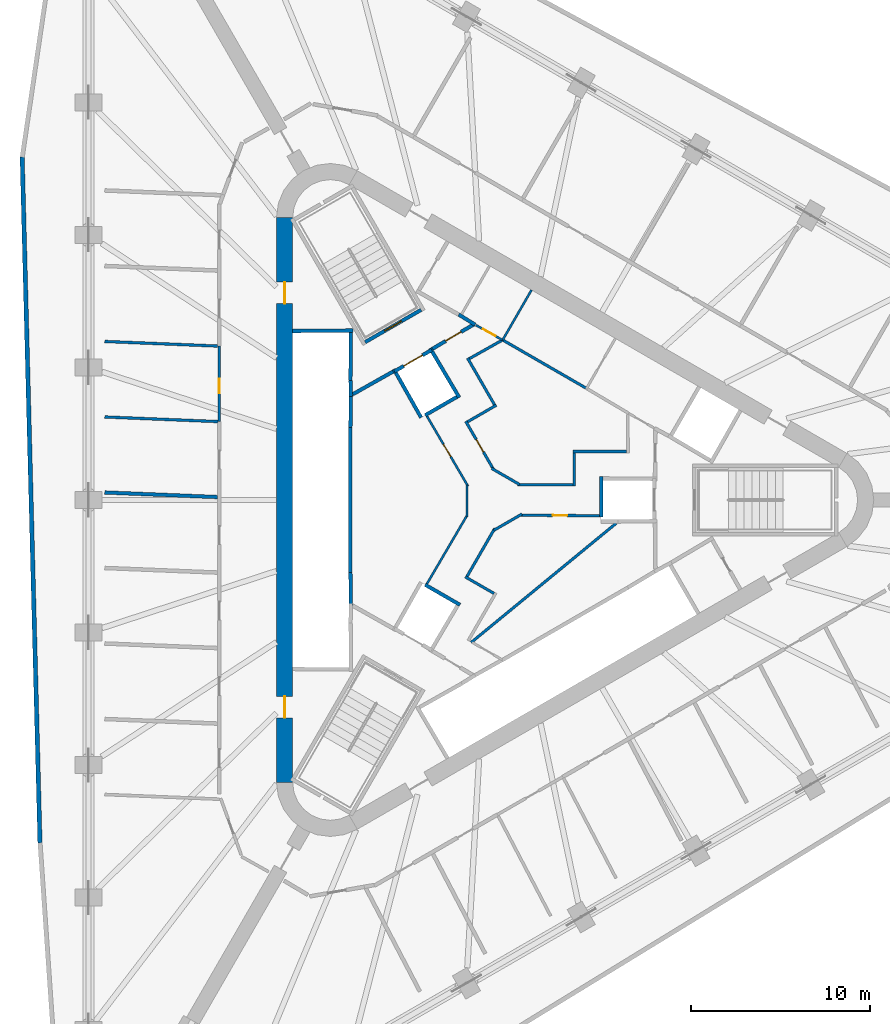
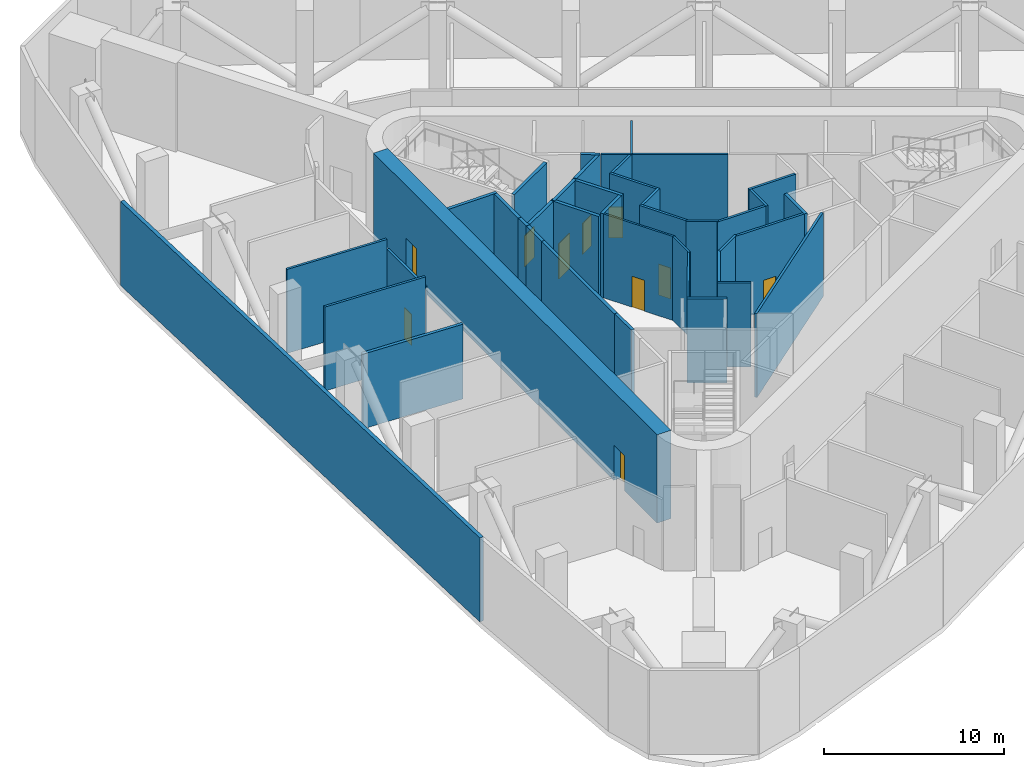
# One storey, part 5 of 13: 41 walls, 10 doors, 10 openings.
"""IFC4 building model written with IfcOpenShell, lengths in metres."""

from ifc_helpers import new_model, si_unit, direction, frame, frame_2d, origin, place, context, subcontext, project, spatial, rectangle, extrude, material, layer, layer_set, type_object, element, fill, save


model = new_model("IFC4")

# Units and contexts
model_context = context("Model", 3, precision=1e-05, world=origin(), true_north=direction((0.0, 1.0)))
body_context = subcontext(model_context, "Body", "Model", "MODEL_VIEW")
ifc_project = project(units=[si_unit("LENGTHUNIT", "METRE"), si_unit("AREAUNIT", "SQUARE_METRE"), si_unit("VOLUMEUNIT", "CUBIC_METRE"), si_unit("PLANEANGLEUNIT", "RADIAN"), si_unit("MASSUNIT", "GRAM", prefix="KILO")], contexts=[model_context])

# Site, building, storey
site_placement = place(None, origin())
site = spatial("IfcSite", under=ifc_project, at=site_placement, CompositionType="ELEMENT")
building_placement = place(site_placement, origin())
building = spatial("IfcBuilding", under=site, at=building_placement, Name="Tanit Gate Tower", CompositionType="ELEMENT")
storey_placement = place(building_placement, frame((0.0, 0.0, 163.199951171875)))
storey = spatial("IfcBuildingStorey", under=building, at=storey_placement, Name="L35", CompositionType="ELEMENT", Elevation=163.199951171875)

# Wall, openings, doors
ifc_material_1 = material(Name="Concrete C60/75", Category="concrete")
ifc_layer_1 = layer(ifc_material_1, 0.89990234375)
ifc_layer_set_1 = layer_set([ifc_layer_1], Name="CORE WALL 900 C60/75")
wall_type_1 = type_object("IfcWallType", Name="CORE WALL 900 C60/75", PredefinedType="SHEAR", material=ifc_layer_set_1)
wall_1_placement = place(storey_placement, frame((-11.64990234375, 15.76171875, 0.0), z_axis=(0.0, 0.0, 1.0), x_axis=(0.0, -1.0, 0.0)))
wall_1 = element("IfcWall", 1, at=wall_1_placement, inside=storey, type_object=wall_type_1, Name="CORE WALL", PredefinedType="SHEAR", context=body_context, shape_type="SweptSolid", body=[
    extrude(rectangle(XDim=31.5234375, YDim=0.89990234375, at=frame_2d((15.76171875, 0.0))), origin(), (0.0, 0.0, 1.0), 6.0),
])
opening_1_placement = place(wall_1_placement, frame((3.61181640625, 0.0, 0.0)))
opening_1 = element("IfcOpeningElement", 2, at=opening_1_placement, cuts=wall_1, Name="Opening F12-35-FL2", PredefinedType="OPENING", context=body_context, shape_type="SweptSolid", body=[
    extrude(rectangle(XDim=1.199951171875, YDim=2.39990234375, at=frame_2d((0.60009765625, 1.199951171875))), frame((0.0, 0.4599609375, 0.0), z_axis=(0.0, -1.0, 0.0), x_axis=(1.0, 0.0, 0.0)), (0.0, 0.0, 1.0), 0.919921875),
])
opening_2_placement = place(wall_1_placement, frame((26.711669921875, 0.0, 0.0)))
opening_2 = element("IfcOpeningElement", 3, at=opening_2_placement, cuts=wall_1, Name="Opening F12-35-S3", PredefinedType="OPENING", context=body_context, shape_type="SweptSolid", body=[
    extrude(rectangle(XDim=1.199951171875, YDim=2.39990234375, at=frame_2d((0.60009765625, 1.199951171875))), frame((0.0, 0.4599609375, 0.0), z_axis=(0.0, -1.0, 0.0), x_axis=(1.0, 0.0, 0.0)), (0.0, 0.0, 1.0), 0.919921875),
])
ifc_material_2 = material(Name="Fire-rated steel door leaf", Category="steel")
door_type_1 = type_object("IfcDoorType", Name="INT-DOOR-FIRE-LOBBY-1200", OperationType="NOTDEFINED", PredefinedType="USERDEFINED", material=ifc_material_2)
door_1_placement = place(opening_1_placement, origin())
door_1 = element("IfcDoor", 4, at=door_1_placement, inside=storey, type_object=door_type_1, Name="Door F12-35-FL2", ObjectType="FIRE DOOR", OperationType="SINGLE_SWING_RIGHT", OverallHeight=2.39990234375, OverallWidth=1.199951171875, PredefinedType="USERDEFINED", context=body_context, shape_type="SweptSolid", body=[
    extrude(rectangle(XDim=1.199951171875, YDim=2.39990234375, at=frame_2d((0.60009765625, 1.199951171875))), frame((0.0, 0.02490234375, 0.0), z_axis=(0.0, -1.0, 0.0), x_axis=(1.0, 0.0, 0.0)), (0.0, 0.0, 1.0), 0.050048828125),
])
fill(opening_1, door_1)
door_2_placement = place(opening_2_placement, origin())
door_2 = element("IfcDoor", 5, at=door_2_placement, inside=storey, type_object=door_type_1, Name="Door F12-35-S3", ObjectType="FIRE DOOR", OperationType="SINGLE_SWING_LEFT", OverallHeight=2.39990234375, OverallWidth=1.199951171875, PredefinedType="USERDEFINED", context=body_context, shape_type="SweptSolid", body=[
    extrude(rectangle(XDim=1.199951171875, YDim=2.39990234375, at=frame_2d((0.60009765625, 1.199951171875))), frame((0.0, 0.02490234375, 0.0), z_axis=(0.0, -1.0, 0.0), x_axis=(1.0, 0.0, 0.0)), (0.0, 0.0, 1.0), 0.050048828125),
])
fill(opening_2, door_2)

# Walls
ifc_material_3 = material(Name="Concrete C30/37 with bronze anodised aluminium cladding", Category="concrete")
ifc_layer_2 = layer(ifc_material_3, 0.239990234375)
ifc_layer_set_2 = layer_set([ifc_layer_2], Name="Facade wall bronze clad 240")
wall_type_2 = type_object("IfcWallType", Name="Facade wall bronze clad 240", PredefinedType="SOLIDWALL", material=ifc_layer_set_2)
wall_2_placement = place(storey_placement, frame((-26.282958984375, 19.1123046875, 0.0), z_axis=(0.0, 0.0, 1.0), x_axis=(0.025921518022, -0.999663980997, 0.0)))
element("IfcWall", 6, at=wall_2_placement, inside=storey, type_object=wall_type_2, Name="Bronze-clad facade wall L35 W2", PredefinedType="SOLIDWALL", context=body_context, shape_type="SweptSolid", body=[
    extrude(rectangle(XDim=38.239013671875, YDim=0.239990234375, at=frame_2d((19.11962890625, 0.0))), origin(), (0.0, 0.0, 1.0), 5.699951171875),
])
ifc_material_4 = material(Name="Fire-rated gypsum board partition")
ifc_layer_3 = layer(ifc_material_4, 0.199951171875)
ifc_layer_set_3 = layer_set([ifc_layer_3], Name="INT-WALL-COMPARTMENT")
wall_type_3 = type_object("IfcWallType", Name="INT-WALL-COMPARTMENT", PredefinedType="PARTITIONING", material=ifc_layer_set_3)
wall_3_placement = place(storey_placement, frame((-1.940673828125, 10.338623046875, 0.0), z_axis=(0.0, 0.0, 1.0), x_axis=(0.850216889117, -0.526432561171, 0.0)))
element("IfcWall", 7, at=wall_3_placement, inside=storey, type_object=wall_type_3, Name="Wall Compartment W060", PredefinedType="PARTITIONING", context=body_context, shape_type="SweptSolid", body=[
    extrude(rectangle(XDim=1.078369140625, YDim=0.199951171875, at=frame_2d((0.5390625, 0.0))), origin(), (0.0, 0.0, 1.0), 5.699951171875),
])
wall_4_placement = place(storey_placement, frame((-5.600341796875, 7.16015625, 0.0), z_axis=(0.0, 0.0, 1.0), x_axis=(-0.871340486379, -0.490678873396, 0.0)))
element("IfcWall", 8, at=wall_4_placement, inside=storey, type_object=wall_type_3, Name="Wall Compartment W068", PredefinedType="PARTITIONING", context=body_context, shape_type="SweptSolid", body=[
    extrude(rectangle(XDim=2.580810546875, YDim=0.199951171875, at=frame_2d((1.29052734375, 0.0))), origin(), (0.0, 0.0, 1.0), 5.699951171875),
])

# Wall, opening, door
wall_5_placement = place(storey_placement, frame((-1.070068359375, 9.809326171875, 0.0), z_axis=(0.0, 0.0, 1.0), x_axis=(-0.860603293832, -0.509275927808, 0.0)))
wall_5 = element("IfcWall", 9, at=wall_5_placement, inside=storey, type_object=wall_type_3, Name="Wall Compartment W069", PredefinedType="PARTITIONING", context=body_context, shape_type="SweptSolid", body=[
    extrude(rectangle(XDim=2.7080078125, YDim=0.199951171875, at=frame_2d((1.35400390625, 0.0))), origin(), (0.0, 0.0, 1.0), 5.699951171875),
])
opening_3_placement = place(wall_5_placement, frame((0.859619140625, 0.0, 0.0)))
opening_3 = element("IfcOpeningElement", 10, at=opening_3_placement, cuts=wall_5, Name="Opening F10-35-05", PredefinedType="OPENING", context=body_context, shape_type="SweptSolid", body=[
    extrude(rectangle(XDim=1.0, YDim=2.10009765625, at=frame_2d((0.5, 1.050048828125))), frame((0.0, 0.10986328125, 0.0), z_axis=(0.0, -1.0, 0.0), x_axis=(1.0, 0.0, 0.0)), (0.0, 0.0, 1.0), 0.219970703125),
])
ifc_material_5 = material(Name="Fire-rated steel door leaf", Category="steel")
door_type_2 = type_object("IfcDoorType", Name="INT-DOOR-FIRE-1000", OperationType="NOTDEFINED", PredefinedType="USERDEFINED", material=ifc_material_5)
door_3_placement = place(opening_3_placement, origin())
door_3 = element("IfcDoor", 11, at=door_3_placement, inside=storey, type_object=door_type_2, Name="Door F10-35-05", ObjectType="FIRE DOOR", OperationType="SINGLE_SWING_RIGHT", OverallHeight=2.10009765625, OverallWidth=1.0, PredefinedType="USERDEFINED", context=body_context, shape_type="SweptSolid", body=[
    extrude(rectangle(XDim=1.0, YDim=2.10009765625, at=frame_2d((0.5, 1.050048828125))), frame((0.0, 0.02490234375, 0.0), z_axis=(0.0, -1.0, 0.0), x_axis=(1.0, 0.0, 0.0)), (0.0, 0.0, 1.0), 0.050048828125),
])
fill(opening_3, door_3)

# Walls
wall_6_placement = place(storey_placement, frame((-21.677490234375, 0.41845703125, 0.0), z_axis=(0.0, 0.0, 1.0), x_axis=(0.999168860774, -0.04076257671, 0.0)))
element("IfcWall", 12, at=wall_6_placement, inside=storey, type_object=wall_type_3, Name="Wall Compartment W108", PredefinedType="PARTITIONING", context=body_context, shape_type="SweptSolid", body=[
    extrude(rectangle(XDim=6.28271484375, YDim=0.199951171875, at=frame_2d((3.141357421875, 0.0))), origin(), (0.0, 0.0, 1.0), 5.070068359375),
])
ifc_material_6 = material(Name="Gypsum board partition")
ifc_layer_4 = layer(ifc_material_6, 0.1201171875)
ifc_layer_set_4 = layer_set([ifc_layer_4], Name="INT-WALL-PARTITION")
wall_type_4 = type_object("IfcWallType", Name="INT-WALL-PARTITION", PredefinedType="PARTITIONING", material=ifc_layer_set_4)
wall_7_placement = place(storey_placement, frame((2.11865234375, 11.70947265625, 0.0), z_axis=(0.0, 0.0, 1.0), x_axis=(-0.500017246033, -0.866015446554, 0.0)))
element("IfcWall", 13, at=wall_7_placement, inside=storey, type_object=wall_type_4, Name="Wall Partition W057", PredefinedType="PARTITIONING", context=body_context, shape_type="SweptSolid", body=[
    extrude(rectangle(XDim=3.25, YDim=0.1201171875, at=frame_2d((1.625, 0.0))), origin(), (0.0, 0.0, 1.0), 5.699951171875),
])

# Wall, opening, door
wall_8_placement = place(storey_placement, frame((-0.979248046875, 9.746826171875, 0.0), z_axis=(0.0, 0.0, 1.0), x_axis=(0.871957532922, -0.489581515972, 0.0)))
wall_8 = element("IfcWall", 14, at=wall_8_placement, inside=storey, type_object=wall_type_4, Name="Wall Partition W061", PredefinedType="PARTITIONING", context=body_context, shape_type="SweptSolid", body=[
    extrude(rectangle(XDim=1.671630859375, YDim=0.1201171875, at=frame_2d((0.8359375, 0.0))), origin(), (0.0, 0.0, 1.0), 5.699951171875),
])
opening_4_placement = place(wall_8_placement, frame((0.435791015625, 0.0, 0.0)))
opening_4 = element("IfcOpeningElement", 15, at=opening_4_placement, cuts=wall_8, Name="Opening R08-35-16", PredefinedType="OPENING", context=body_context, shape_type="SweptSolid", body=[
    extrude(rectangle(XDim=0.800048828125, YDim=2.10009765625, at=frame_2d((0.39990234375, 1.050048828125))), frame((0.0, 0.070068359375, 0.0), z_axis=(0.0, -1.0, 0.0), x_axis=(1.0, 0.0, 0.0)), (0.0, 0.0, 1.0), 0.14013671875),
])
ifc_material_7 = material(Name="Timber door leaf", Category="wood")
door_type_3 = type_object("IfcDoorType", Name="INT-DOOR-RISER-800", OperationType="NOTDEFINED", PredefinedType="USERDEFINED", material=ifc_material_7)
door_4_placement = place(opening_4_placement, origin())
door_4 = element("IfcDoor", 16, at=door_4_placement, inside=storey, type_object=door_type_3, Name="Door R08-35-16", ObjectType="FIRE DOOR", OperationType="SINGLE_SWING_LEFT", OverallHeight=2.10009765625, OverallWidth=0.800048828125, PredefinedType="USERDEFINED", context=body_context, shape_type="SweptSolid", body=[
    extrude(rectangle(XDim=0.800048828125, YDim=2.10009765625, at=frame_2d((0.39990234375, 1.050048828125))), frame((0.0, 0.02490234375, 0.0), z_axis=(0.0, -1.0, 0.0), x_axis=(1.0, 0.0, 0.0)), (0.0, 0.0, 1.0), 0.050048828125),
])
fill(opening_4, door_4)

wall_9_placement = place(storey_placement, frame((-1.42041015625, 0.76171875, 0.0), z_axis=(0.0, 0.0, 1.0), x_axis=(-0.505655878767, 0.862735261983, 0.0)))
wall_9 = element("IfcWall", 17, at=wall_9_placement, inside=storey, type_object=wall_type_4, Name="Wall Partition W072", PredefinedType="PARTITIONING", context=body_context, shape_type="SweptSolid", body=[
    extrude(rectangle(XDim=4.5302734375, YDim=0.1201171875, at=frame_2d((2.26513671875, 0.0))), origin(), (0.0, 0.0, 1.0), 5.699951171875),
])
opening_5_placement = place(wall_9_placement, frame((1.916259765625, 0.0, 0.0)))
opening_5 = element("IfcOpeningElement", 18, at=opening_5_placement, cuts=wall_9, Name="Opening R08-35-10", PredefinedType="OPENING", context=body_context, shape_type="SweptSolid", body=[
    extrude(rectangle(XDim=0.800048828125, YDim=2.10009765625, at=frame_2d((0.39990234375, 1.050048828125))), frame((0.0, 0.070068359375, 0.0), z_axis=(0.0, -1.0, 0.0), x_axis=(1.0, 0.0, 0.0)), (0.0, 0.0, 1.0), 0.14013671875),
])
door_5_placement = place(opening_5_placement, origin())
door_5 = element("IfcDoor", 19, at=door_5_placement, inside=storey, type_object=door_type_3, Name="Door R08-35-10", ObjectType="FIRE DOOR", OperationType="SINGLE_SWING_RIGHT", OverallHeight=2.10009765625, OverallWidth=0.800048828125, PredefinedType="USERDEFINED", context=body_context, shape_type="SweptSolid", body=[
    extrude(rectangle(XDim=0.800048828125, YDim=2.10009765625, at=frame_2d((0.39990234375, 1.050048828125))), frame((0.0, 0.02490234375, 0.0), z_axis=(0.0, -1.0, 0.0), x_axis=(1.0, 0.0, 0.0)), (0.0, 0.0, 1.0), 0.050048828125),
])
fill(opening_5, door_5)

# Walls
wall_10_placement = place(storey_placement, frame((-1.47216796875, -0.952392578125, 0.0), z_axis=(0.0, 0.0, 1.0), x_axis=(0.0, 1.0, 0.0)))
element("IfcWall", 20, at=wall_10_placement, inside=storey, type_object=wall_type_4, Name="Wall Partition W073", PredefinedType="PARTITIONING", context=body_context, shape_type="SweptSolid", body=[
    extrude(rectangle(XDim=1.783447265625, YDim=0.1201171875, at=frame_2d((0.8916015625, 0.0))), origin(), (0.0, 0.0, 1.0), 5.699951171875),
])
wall_11_placement = place(storey_placement, frame((-3.711181640625, -4.670166015625, 0.0), z_axis=(0.0, 0.0, 1.0), x_axis=(0.505649867547, 0.862738785178, 0.0)))
element("IfcWall", 21, at=wall_11_placement, inside=storey, type_object=wall_type_4, Name="Wall Partition W074", PredefinedType="PARTITIONING", context=body_context, shape_type="SweptSolid", body=[
    extrude(rectangle(XDim=4.4091796875, YDim=0.1201171875, at=frame_2d((2.20458984375, 0.0))), origin(), (0.0, 0.0, 1.0), 5.699951171875),
])
ifc_material_8 = material(Name="Fire-rated gypsum board partition")
ifc_layer_5 = layer(ifc_material_8, 0.14990234375)
ifc_layer_set_5 = layer_set([ifc_layer_5], Name="INT-WALL-RISER")
wall_type_5 = type_object("IfcWallType", Name="INT-WALL-RISER", PredefinedType="PLUMBINGWALL", material=ifc_layer_set_5)
wall_12_placement = place(storey_placement, frame((5.1591796875, 6.23583984375, 0.0), z_axis=(0.0, 0.0, 1.0), x_axis=(-0.866028230842, 0.499995103361, 0.0)))
element("IfcWall", 22, at=wall_12_placement, inside=storey, type_object=wall_type_5, Name="Wall Riser W058", PredefinedType="PLUMBINGWALL", context=body_context, shape_type="SweptSolid", body=[
    extrude(rectangle(XDim=5.39990234375, YDim=0.14990234375, at=frame_2d((2.699951171875, 0.0))), origin(), (0.0, 0.0, 1.0), 5.699951171875),
])
wall_13_placement = place(storey_placement, frame((6.833740234375, -1.3017578125, 0.0), z_axis=(0.0, 0.0, 1.0), x_axis=(-0.772564687607, -0.634936062499, 0.0)))
element("IfcWall", 23, at=wall_13_placement, inside=storey, type_object=wall_type_5, Name="Wall Riser W075", PredefinedType="PLUMBINGWALL", context=body_context, shape_type="SweptSolid", body=[
    extrude(rectangle(XDim=10.457275390625, YDim=0.14990234375, at=frame_2d((5.228515625, 0.0))), origin(), (0.0, 0.0, 1.0), 5.699951171875),
])
wall_14_placement = place(storey_placement, frame((-1.578857421875, -4.28466796875, 0.0), z_axis=(0.0, 0.0, 1.0), x_axis=(0.866033964044, -0.499985172903, 0.0)))
element("IfcWall", 24, at=wall_14_placement, inside=storey, type_object=wall_type_5, Name="Wall Riser W077", PredefinedType="PLUMBINGWALL", context=body_context, shape_type="SweptSolid", body=[
    extrude(rectangle(XDim=1.85009765625, YDim=0.14990234375, at=frame_2d((0.925048828125, 0.0))), origin(), (0.0, 0.0, 1.0), 5.699951171875),
])
wall_15_placement = place(storey_placement, frame((0.06494140625, -1.58740234375, 0.0), z_axis=(0.0, 0.0, 1.0), x_axis=(-0.499980683721, -0.866036555756, 0.0)))
element("IfcWall", 25, at=wall_15_placement, inside=storey, type_object=wall_type_5, Name="Wall Riser W078", PredefinedType="PLUMBINGWALL", context=body_context, shape_type="SweptSolid", body=[
    extrude(rectangle(XDim=3.08251953125, YDim=0.14990234375, at=frame_2d((1.541259765625, 0.0))), origin(), (0.0, 0.0, 1.0), 5.699951171875),
])
wall_16_placement = place(storey_placement, frame((1.5830078125, -0.7861328125, 0.0), z_axis=(0.0, 0.0, 1.0), x_axis=(-0.866036909293, -0.499980071345, 0.0)))
element("IfcWall", 26, at=wall_16_placement, inside=storey, type_object=wall_type_5, Name="Wall Riser W079", PredefinedType="PLUMBINGWALL", context=body_context, shape_type="SweptSolid", body=[
    extrude(rectangle(XDim=1.8046875, YDim=0.14990234375, at=frame_2d((0.90234375, 0.0))), origin(), (0.0, 0.0, 1.0), 5.699951171875),
])

# Wall, opening, door
wall_17_placement = place(storey_placement, frame((5.89990234375, -0.87890625, 0.0), z_axis=(0.0, 0.0, 1.0), x_axis=(-0.999978605844, 0.006541242613, 0.0)))
wall_17 = element("IfcWall", 27, at=wall_17_placement, inside=storey, type_object=wall_type_5, Name="Wall Riser W080", PredefinedType="PLUMBINGWALL", context=body_context, shape_type="SweptSolid", body=[
    extrude(rectangle(XDim=4.404052734375, YDim=0.14990234375, at=frame_2d((2.2021484375, 0.0))), origin(), (0.0, 0.0, 1.0), 5.699951171875),
])
opening_6_placement = place(wall_17_placement, frame((1.802001953125, 0.0, 0.0)))
opening_6 = element("IfcOpeningElement", 28, at=opening_6_placement, cuts=wall_17, Name="Opening R08-35-11", PredefinedType="OPENING", context=body_context, shape_type="SweptSolid", body=[
    extrude(rectangle(XDim=0.800048828125, YDim=2.10009765625, at=frame_2d((0.39990234375, 1.050048828125))), frame((0.0, 0.0849609375, 0.0), z_axis=(0.0, -1.0, 0.0), x_axis=(1.0, 0.0, 0.0)), (0.0, 0.0, 1.0), 0.169921875),
])
door_6_placement = place(opening_6_placement, origin())
door_6 = element("IfcDoor", 29, at=door_6_placement, inside=storey, type_object=door_type_3, Name="Door R08-35-11", ObjectType="FIRE DOOR", OperationType="SINGLE_SWING_RIGHT", OverallHeight=2.10009765625, OverallWidth=0.800048828125, PredefinedType="USERDEFINED", context=body_context, shape_type="SweptSolid", body=[
    extrude(rectangle(XDim=0.800048828125, YDim=2.10009765625, at=frame_2d((0.39990234375, 1.050048828125))), frame((0.0, 0.02490234375, 0.0), z_axis=(0.0, -1.0, 0.0), x_axis=(1.0, 0.0, 0.0)), (0.0, 0.0, 1.0), 0.050048828125),
])
fill(opening_6, door_6)

# Walls
wall_18_placement = place(storey_placement, frame((4.425048828125, 2.699951171875, 0.0), z_axis=(0.0, 0.0, 1.0), x_axis=(1.0, 0.0, 0.0)))
element("IfcWall", 30, at=wall_18_placement, inside=storey, type_object=wall_type_5, Name="Wall Riser W083", PredefinedType="PLUMBINGWALL", context=body_context, shape_type="SweptSolid", body=[
    extrude(rectangle(XDim=3.0, YDim=0.14990234375, at=frame_2d((1.5, 0.0))), origin(), (0.0, 0.0, 1.0), 5.699951171875),
])
wall_19_placement = place(storey_placement, frame((4.5, 0.77490234375, 0.0), z_axis=(0.0, 0.0, 1.0), x_axis=(0.0, 1.0, 0.0)))
element("IfcWall", 31, at=wall_19_placement, inside=storey, type_object=wall_type_5, Name="Wall Riser W084", PredefinedType="PLUMBINGWALL", context=body_context, shape_type="SweptSolid", body=[
    extrude(rectangle(XDim=1.85009765625, YDim=0.14990234375, at=frame_2d((0.925048828125, 0.0))), origin(), (0.0, 0.0, 1.0), 5.699951171875),
])
wall_20_placement = place(storey_placement, frame((1.34228515625, 0.85009765625, 0.0), z_axis=(0.0, 0.0, 1.0), x_axis=(1.0, 0.0, 0.0)))
element("IfcWall", 32, at=wall_20_placement, inside=storey, type_object=wall_type_5, Name="Wall Riser W085", PredefinedType="PLUMBINGWALL", context=body_context, shape_type="SweptSolid", body=[
    extrude(rectangle(XDim=3.082763671875, YDim=0.14990234375, at=frame_2d((1.54150390625, 0.0))), origin(), (0.0, 0.0, 1.0), 5.699951171875),
])
wall_21_placement = place(storey_placement, frame((-0.112548828125, 1.764892578125, 0.0), z_axis=(0.0, 0.0, 1.0), x_axis=(0.866039322102, -0.499975891992, 0.0)))
element("IfcWall", 33, at=wall_21_placement, inside=storey, type_object=wall_type_5, Name="Wall Riser W086", PredefinedType="PLUMBINGWALL", context=body_context, shape_type="SweptSolid", body=[
    extrude(rectangle(XDim=1.806640625, YDim=0.14990234375, at=frame_2d((0.9033203125, 0.0))), origin(), (0.0, 0.0, 1.0), 5.699951171875),
])

# Wall, opening, door
wall_22_placement = place(storey_placement, frame((-1.55126953125, 4.386962890625, 0.0), z_axis=(0.0, 0.0, 1.0), x_axis=(0.499976393034, -0.866039032844, 0.0)))
wall_22 = element("IfcWall", 34, at=wall_22_placement, inside=storey, type_object=wall_type_5, Name="Wall Riser W087", PredefinedType="PLUMBINGWALL", context=body_context, shape_type="SweptSolid", body=[
    extrude(rectangle(XDim=3.079345703125, YDim=0.14990234375, at=frame_2d((1.53955078125, 0.0))), origin(), (0.0, 0.0, 1.0), 5.699951171875),
])
opening_7_placement = place(wall_22_placement, frame((1.17724609375, 0.0, 0.0)))
opening_7 = element("IfcOpeningElement", 35, at=opening_7_placement, cuts=wall_22, Name="Opening R08-35-13", PredefinedType="OPENING", context=body_context, shape_type="SweptSolid", body=[
    extrude(rectangle(XDim=0.800048828125, YDim=2.10009765625, at=frame_2d((0.39990234375, 1.050048828125))), frame((0.0, 0.0849609375, 0.0), z_axis=(0.0, -1.0, 0.0), x_axis=(1.0, 0.0, 0.0)), (0.0, 0.0, 1.0), 0.169921875),
])
door_7_placement = place(opening_7_placement, origin())
door_7 = element("IfcDoor", 36, at=door_7_placement, inside=storey, type_object=door_type_3, Name="Door R08-35-13", ObjectType="FIRE DOOR", OperationType="SINGLE_SWING_LEFT", OverallHeight=2.10009765625, OverallWidth=0.800048828125, PredefinedType="USERDEFINED", context=body_context, shape_type="SweptSolid", body=[
    extrude(rectangle(XDim=0.800048828125, YDim=2.10009765625, at=frame_2d((0.39990234375, 1.050048828125))), frame((0.0, 0.02490234375, 0.0), z_axis=(0.0, -1.0, 0.0), x_axis=(1.0, 0.0, 0.0)), (0.0, 0.0, 1.0), 0.050048828125),
])
fill(opening_7, door_7)

# Walls
wall_23_placement = place(storey_placement, frame((0.1533203125, 5.28466796875, 0.0), z_axis=(0.0, 0.0, 1.0), x_axis=(-0.866033964044, -0.499985172903, 0.0)))
element("IfcWall", 37, at=wall_23_placement, inside=storey, type_object=wall_type_5, Name="Wall Riser W088", PredefinedType="PLUMBINGWALL", context=body_context, shape_type="SweptSolid", body=[
    extrude(rectangle(XDim=1.85009765625, YDim=0.14990234375, at=frame_2d((0.925048828125, 0.0))), origin(), (0.0, 0.0, 1.0), 5.699951171875),
])
wall_24_placement = place(storey_placement, frame((-1.44921875, 7.91015625, 0.0), z_axis=(0.0, 0.0, 1.0), x_axis=(0.499990139034, -0.866031096941, 0.0)))
element("IfcWall", 38, at=wall_24_placement, inside=storey, type_object=wall_type_5, Name="Wall Riser W089", PredefinedType="PLUMBINGWALL", context=body_context, shape_type="SweptSolid", body=[
    extrude(rectangle(XDim=3.0, YDim=0.14990234375, at=frame_2d((1.5, 0.0))), origin(), (0.0, 0.0, 1.0), 5.699951171875),
])
wall_25_placement = place(storey_placement, frame((0.475341796875, 8.9052734375, 0.0), z_axis=(0.0, 0.0, 1.0), x_axis=(-0.871843752163, -0.489784107353, 0.0)))
element("IfcWall", 39, at=wall_25_placement, inside=storey, type_object=wall_type_5, Name="Wall Riser W090", PredefinedType="PLUMBINGWALL", context=body_context, shape_type="SweptSolid", body=[
    extrude(rectangle(XDim=2.089599609375, YDim=0.14990234375, at=frame_2d((1.044921875, 0.0))), origin(), (0.0, 0.0, 1.0), 5.699951171875),
])

# Wall, opening, door
wall_26_placement = place(storey_placement, frame((-15.300048828125, 8.5859375, 0.0), z_axis=(0.0, 0.0, 1.0), x_axis=(0.0, -1.0, 0.0)))
wall_26 = element("IfcWall", 40, at=wall_26_placement, inside=storey, type_object=wall_type_5, Name="Wall Riser W096", PredefinedType="PLUMBINGWALL", context=body_context, shape_type="SweptSolid", body=[
    extrude(rectangle(XDim=4.2099609375, YDim=0.14990234375, at=frame_2d((2.10498046875, 0.0))), origin(), (0.0, 0.0, 1.0), 4.97998046875),
])
opening_8_placement = place(wall_26_placement, frame((1.836181640625, 0.0, 0.0)))
opening_8 = element("IfcOpeningElement", 41, at=opening_8_placement, cuts=wall_26, Name="Opening R08-35-22", PredefinedType="OPENING", context=body_context, shape_type="SweptSolid", body=[
    extrude(rectangle(XDim=0.800048828125, YDim=2.10009765625, at=frame_2d((0.39990234375, 1.050048828125))), frame((0.0, 0.0849609375, 0.0), z_axis=(0.0, -1.0, 0.0), x_axis=(1.0, 0.0, 0.0)), (0.0, 0.0, 1.0), 0.169921875),
])
door_8_placement = place(opening_8_placement, origin())
door_8 = element("IfcDoor", 42, at=door_8_placement, inside=storey, type_object=door_type_3, Name="Door R08-35-22", ObjectType="FIRE DOOR", OperationType="SINGLE_SWING_RIGHT", OverallHeight=2.10009765625, OverallWidth=0.800048828125, PredefinedType="USERDEFINED", context=body_context, shape_type="SweptSolid", body=[
    extrude(rectangle(XDim=0.800048828125, YDim=2.10009765625, at=frame_2d((0.39990234375, 1.050048828125))), frame((0.0, 0.02490234375, 0.0), z_axis=(0.0, -1.0, 0.0), x_axis=(1.0, 0.0, 0.0)), (0.0, 0.0, 1.0), 0.050048828125),
])
fill(opening_8, door_8)

# Walls
wall_27_placement = place(storey_placement, frame((-15.39990234375, 8.582275390625, 0.0), z_axis=(0.0, 0.0, 1.0), x_axis=(-0.999168860774, 0.04076257671, 0.0)))
element("IfcWall", 43, at=wall_27_placement, inside=storey, type_object=wall_type_5, Name="Wall Riser W106", PredefinedType="PLUMBINGWALL", context=body_context, shape_type="SweptSolid", body=[
    extrude(rectangle(XDim=6.28271484375, YDim=0.14990234375, at=frame_2d((3.141357421875, 0.0))), origin(), (0.0, 0.0, 1.0), 5.699951171875),
])
wall_28_placement = place(storey_placement, frame((-21.677490234375, 4.62841796875, 0.0), z_axis=(0.0, 0.0, 1.0), x_axis=(0.999169114936, -0.040756346234, 0.0)))
element("IfcWall", 44, at=wall_28_placement, inside=storey, type_object=wall_type_5, Name="Wall Riser W107", PredefinedType="PLUMBINGWALL", context=body_context, shape_type="SweptSolid", body=[
    extrude(rectangle(XDim=6.3076171875, YDim=0.14990234375, at=frame_2d((3.15380859375, 0.0))), origin(), (0.0, 0.0, 1.0), 5.699951171875),
])
ifc_material_9 = material(Name="Gypsum shaft wall system")
ifc_layer_6 = layer(ifc_material_9, 0.199951171875)
ifc_layer_set_6 = layer_set([ifc_layer_6], Name="INT-WALL-SHAFT")
wall_type_6 = type_object("IfcWallType", Name="INT-WALL-SHAFT", PredefinedType="PLUMBINGWALL", material=ifc_layer_set_6)
wall_29_placement = place(storey_placement, frame((-11.199951171875, 9.419921875, 0.0), z_axis=(0.0, 0.0, 1.0), x_axis=(0.999957167047, 0.009255488683, 0.0)))
element("IfcWall", 45, at=wall_29_placement, inside=storey, type_object=wall_type_6, Name="Wall Shaft W001", PredefinedType="PLUMBINGWALL", context=body_context, shape_type="SweptSolid", body=[
    extrude(rectangle(XDim=3.35009765625, YDim=0.199951171875, at=frame_2d((1.675048828125, 0.0))), origin(), (0.0, 0.0, 1.0), 5.699951171875),
])
wall_30_placement = place(storey_placement, frame((-7.951171875, 9.35009765625, 0.0), z_axis=(0.0, 0.0, 1.0), x_axis=(-0.011120469654, -0.999938165666, 0.0)))
element("IfcWall", 46, at=wall_30_placement, inside=storey, type_object=wall_type_6, Name="Wall Shaft W002", PredefinedType="PLUMBINGWALL", context=body_context, shape_type="SweptSolid", body=[
    extrude(rectangle(XDim=2.700439453125, YDim=0.199951171875, at=frame_2d((1.35009765625, 0.0))), origin(), (0.0, 0.0, 1.0), 5.699951171875),
])
wall_31_placement = place(storey_placement, frame((-7.97705078125, 6.650146484375, 0.0), z_axis=(0.0, 0.0, 1.0), x_axis=(0.030861509705, -0.999523670164, 0.0)))
element("IfcWall", 47, at=wall_31_placement, inside=storey, type_object=wall_type_6, Name="Wall Shaft W003", PredefinedType="PLUMBINGWALL", context=body_context, shape_type="SweptSolid", body=[
    extrude(rectangle(XDim=0.878173828125, YDim=0.199951171875, at=frame_2d((0.43896484375, 0.0))), origin(), (0.0, 0.0, 1.0), 5.699951171875),
])
wall_32_placement = place(storey_placement, frame((-7.948974609375, 5.894287109375, 0.0), z_axis=(0.0, 0.0, 1.0), x_axis=(-0.016809909365, -0.999858703491, 0.0)))
element("IfcWall", 48, at=wall_32_placement, inside=storey, type_object=wall_type_6, Name="Wall Shaft W004", PredefinedType="PLUMBINGWALL", context=body_context, shape_type="SweptSolid", body=[
    extrude(rectangle(XDim=1.844482421875, YDim=0.199951171875, at=frame_2d((0.92236328125, 0.0))), origin(), (0.0, 0.0, 1.0), 5.699951171875),
])
wall_33_placement = place(storey_placement, frame((-7.97998046875, 4.050048828125, 0.0), z_axis=(0.0, 0.0, 1.0), x_axis=(0.0, -1.0, 0.0)))
element("IfcWall", 49, at=wall_33_placement, inside=storey, type_object=wall_type_6, Name="Wall Shaft W005", PredefinedType="PLUMBINGWALL", context=body_context, shape_type="SweptSolid", body=[
    extrude(rectangle(XDim=8.10009765625, YDim=0.199951171875, at=frame_2d((4.050048828125, 0.0))), origin(), (0.0, 0.0, 1.0), 5.699951171875),
])
wall_34_placement = place(storey_placement, frame((-7.97998046875, -4.050048828125, 0.0), z_axis=(0.0, 0.0, 1.0), x_axis=(0.016809909365, -0.999858703491, 0.0)))
element("IfcWall", 50, at=wall_34_placement, inside=storey, type_object=wall_type_6, Name="Wall Shaft W009", PredefinedType="PLUMBINGWALL", context=body_context, shape_type="SweptSolid", body=[
    extrude(rectangle(XDim=1.844482421875, YDim=0.199951171875, at=frame_2d((0.92236328125, 0.0))), origin(), (0.0, 0.0, 1.0), 5.699951171875),
])
wall_35_placement = place(storey_placement, frame((6.0, -0.95458984375, 0.0), z_axis=(0.0, 0.0, 1.0), x_axis=(0.0, 1.0, 0.0)))
element("IfcWall", 51, at=wall_35_placement, inside=storey, type_object=wall_type_6, Name="Wall Shaft W033", PredefinedType="PLUMBINGWALL", context=body_context, shape_type="SweptSolid", body=[
    extrude(rectangle(XDim=2.254638671875, YDim=0.199951171875, at=frame_2d((1.12744140625, 0.0))), origin(), (0.0, 0.0, 1.0), 5.699951171875),
])

# Wall, opening, door
wall_36_placement = place(storey_placement, frame((-5.524169921875, 7.168212890625, 0.0), z_axis=(0.0, 0.0, 1.0), x_axis=(0.866024647952, 0.500001309137, 0.0)))
wall_36 = element("IfcWall", 52, at=wall_36_placement, inside=storey, type_object=wall_type_6, Name="Wall Shaft W040", PredefinedType="PLUMBINGWALL", context=body_context, shape_type="SweptSolid", body=[
    extrude(rectangle(XDim=2.39990234375, YDim=0.199951171875, at=frame_2d((1.199951171875, 0.0))), origin(), (0.0, 0.0, 1.0), 5.699951171875),
])
opening_9_placement = place(wall_36_placement, frame((0.60009765625, 0.0, 0.0)))
opening_9 = element("IfcOpeningElement", 53, at=opening_9_placement, cuts=wall_36, Name="Opening LDFL2-L35", PredefinedType="OPENING", context=body_context, shape_type="SweptSolid", body=[
    extrude(rectangle(XDim=1.199951171875, YDim=2.39990234375, at=frame_2d((0.60009765625, 1.199951171875))), frame((0.0, 0.10986328125, 0.0), z_axis=(0.0, -1.0, 0.0), x_axis=(1.0, 0.0, 0.0)), (0.0, 0.0, 1.0), 0.219970703125),
])
ifc_material_10 = material(Name="Stainless steel sliding door leaf", Category="steel")
door_type_4 = type_object("IfcDoorType", Name="INT-DOOR-LANDING-1200", OperationType="NOTDEFINED", PredefinedType="USERDEFINED", material=ifc_material_10)
door_9_placement = place(opening_9_placement, origin())
door_9 = element("IfcDoor", 54, at=door_9_placement, inside=storey, type_object=door_type_4, Name="Door LDFL2-L35", ObjectType="LANDING DOOR", OperationType="SLIDING_TO_LEFT", OverallHeight=2.39990234375, OverallWidth=1.199951171875, PredefinedType="USERDEFINED", context=body_context, shape_type="SweptSolid", body=[
    extrude(rectangle(XDim=1.199951171875, YDim=2.39990234375, at=frame_2d((0.60009765625, 1.199951171875))), frame((0.0, 0.02490234375, 0.0), z_axis=(0.0, -1.0, 0.0), x_axis=(1.0, 0.0, 0.0)), (0.0, 0.0, 1.0), 0.050048828125),
])
fill(opening_9, door_9)

# Walls
wall_37_placement = place(storey_placement, frame((-4.039306640625, 4.59619140625, 0.0), z_axis=(0.0, 0.0, 1.0), x_axis=(-0.491322718731, 0.870977603649, 0.0)))
element("IfcWall", 55, at=wall_37_placement, inside=storey, type_object=wall_type_6, Name="Wall Shaft W041", PredefinedType="PLUMBINGWALL", context=body_context, shape_type="SweptSolid", body=[
    extrude(rectangle(XDim=3.10009765625, YDim=0.199951171875, at=frame_2d((1.550048828125, 0.0))), origin(), (0.0, 0.0, 1.0), 5.699951171875),
])
wall_38_placement = place(storey_placement, frame((-3.53759765625, 8.46533203125, 0.0), z_axis=(0.0, 0.0, 1.0), x_axis=(0.508616218331, -0.860993346345, 0.0)))
element("IfcWall", 56, at=wall_38_placement, inside=storey, type_object=wall_type_6, Name="Wall Shaft W042", PredefinedType="PLUMBINGWALL", context=body_context, shape_type="SweptSolid", body=[
    extrude(rectangle(XDim=3.2001953125, YDim=0.199951171875, at=frame_2d((1.60009765625, 0.0))), origin(), (0.0, 0.0, 1.0), 5.699951171875),
])
wall_39_placement = place(storey_placement, frame((-2.04736328125, 5.74609375, 0.0), z_axis=(0.0, 0.0, 1.0), x_axis=(-0.866032100247, -0.499988401207, 0.0)))
element("IfcWall", 57, at=wall_39_placement, inside=storey, type_object=wall_type_6, Name="Wall Shaft W043", PredefinedType="PLUMBINGWALL", context=body_context, shape_type="SweptSolid", body=[
    extrude(rectangle(XDim=2.03955078125, YDim=0.199951171875, at=frame_2d((1.019775390625, 0.0))), origin(), (0.0, 0.0, 1.0), 5.699951171875),
])
wall_40_placement = place(storey_placement, frame((-3.813720703125, -4.726318359375, 0.0), z_axis=(0.0, 0.0, 1.0), x_axis=(0.866000409959, -0.500043288077, 0.0)))
element("IfcWall", 58, at=wall_40_placement, inside=storey, type_object=wall_type_6, Name="Wall Shaft W051", PredefinedType="PLUMBINGWALL", context=body_context, shape_type="SweptSolid", body=[
    extrude(rectangle(XDim=2.239501953125, YDim=0.199951171875, at=frame_2d((1.11962890625, 0.0))), origin(), (0.0, 0.0, 1.0), 5.699951171875),
])

# Wall, opening, door
ifc_material_11 = material(Name="Concrete C40/50", Category="concrete")
ifc_layer_7 = layer(ifc_material_11, 0.199951171875)
ifc_layer_set_7 = layer_set([ifc_layer_7], Name="INT-WALL-STAIR")
wall_type_7 = type_object("IfcWallType", Name="INT-WALL-STAIR", PredefinedType="SHEAR", material=ifc_layer_set_7)
wall_41_placement = place(storey_placement, frame((-7.158935546875, 8.799560546875, -0.349853515625), z_axis=(0.0, 0.0, 1.0), x_axis=(0.866047807691, 0.499961193289, 0.0)))
wall_41 = element("IfcWall", 59, at=wall_41_placement, inside=storey, type_object=wall_type_7, Name="Wall Stair W039", PredefinedType="SHEAR", context=body_context, shape_type="SweptSolid", body=[
    extrude(rectangle(XDim=3.599853515625, YDim=0.199951171875, at=frame_2d((1.7998046875, 0.0))), origin(), (0.0, 0.0, 1.0), 6.0498046875),
])
opening_10_placement = place(wall_41_placement, frame((1.25, 0.0, 0.35009765625)))
opening_10 = element("IfcOpeningElement", 60, at=opening_10_placement, cuts=wall_41, Name="Opening S11-35-04", PredefinedType="OPENING", context=body_context, shape_type="SweptSolid", body=[
    extrude(rectangle(XDim=1.10009765625, YDim=2.10009765625, at=frame_2d((0.550048828125, 1.050048828125))), frame((0.0, 0.10986328125, 0.0), z_axis=(0.0, -1.0, 0.0), x_axis=(1.0, 0.0, 0.0)), (0.0, 0.0, 1.0), 0.219970703125),
])
ifc_material_12 = material(Name="Timber door leaf", Category="wood")
door_type_5 = type_object("IfcDoorType", Name="INT-DOOR-STAIR-1100", OperationType="NOTDEFINED", PredefinedType="USERDEFINED", material=ifc_material_12)
door_10_placement = place(opening_10_placement, origin())
door_10 = element("IfcDoor", 61, at=door_10_placement, inside=storey, type_object=door_type_5, Name="Door S11-35-04", ObjectType="FIRE DOOR", OperationType="SINGLE_SWING_LEFT", OverallHeight=2.10009765625, OverallWidth=1.10009765625, PredefinedType="USERDEFINED", context=body_context, shape_type="SweptSolid", body=[
    extrude(rectangle(XDim=1.10009765625, YDim=2.10009765625, at=frame_2d((0.550048828125, 1.050048828125))), frame((0.0, 0.02490234375, 0.0), z_axis=(0.0, -1.0, 0.0), x_axis=(1.0, 0.0, 0.0)), (0.0, 0.0, 1.0), 0.050048828125),
])
fill(opening_10, door_10)

save(model, "model.ifc")
